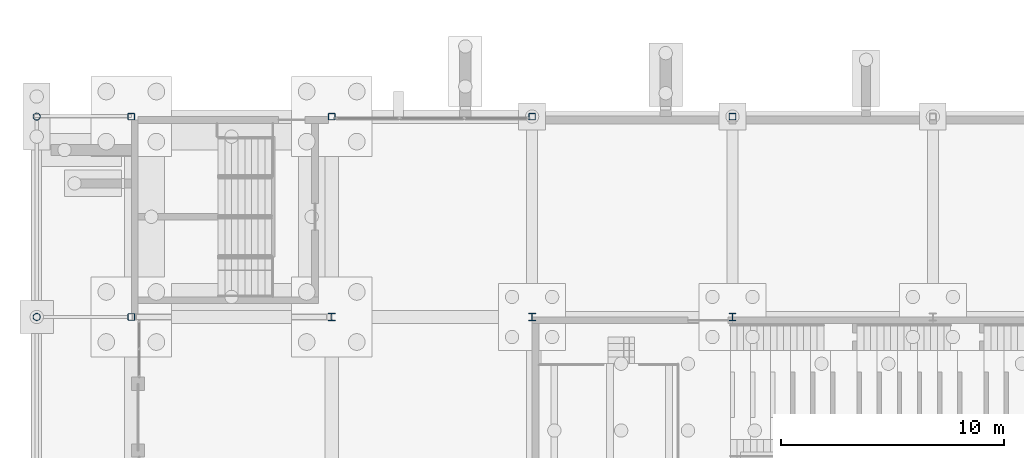
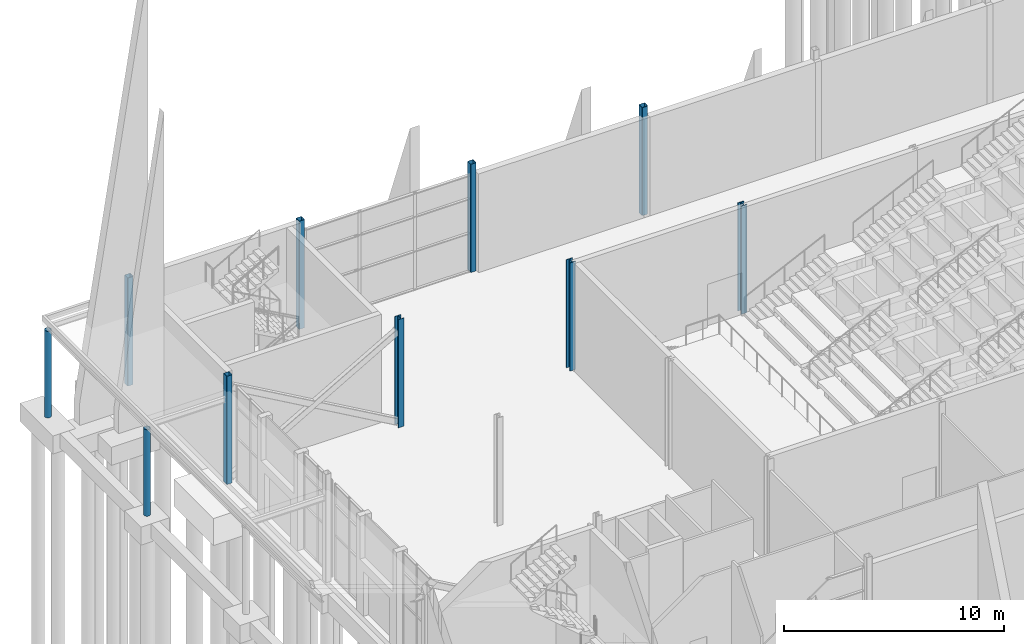
# One storey, part 24 of 139: 10 columns.
"""IFC4 building model written with IfcOpenShell, lengths in metres."""

from ifc_helpers import new_model, si_unit, direction, frame, origin, origin_2d, place, context, subcontext, project, spatial, hollow_rectangle, hollow_circle, i_section, extrude, material, material_profile, profile_set, type_object, element, save


model = new_model("IFC4")

# Units and contexts
model_context = context("Model", 3, precision=1e-05, world=origin(), true_north=direction((0.0, 1.0)))
body_context = subcontext(model_context, "Body", "Model", "MODEL_VIEW")
ifc_project = project(units=[si_unit("LENGTHUNIT", "METRE"), si_unit("AREAUNIT", "SQUARE_METRE"), si_unit("VOLUMEUNIT", "CUBIC_METRE"), si_unit("PLANEANGLEUNIT", "RADIAN"), si_unit("MASSUNIT", "GRAM", prefix="KILO")], contexts=[model_context])

# Site, building, storey
site_placement = place(None, origin())
site = spatial("IfcSite", under=ifc_project, at=site_placement, CompositionType="ELEMENT")
building_placement = place(site_placement, origin())
building = spatial("IfcBuilding", under=site, at=building_placement, Name="Shorebreak Coast Museum", CompositionType="ELEMENT")
storey_placement = place(building_placement, origin())
storey = spatial("IfcBuildingStorey", under=building, at=storey_placement, Name="L00", CompositionType="ELEMENT", Elevation=0.0)

# Columns
ifc_material_1 = material(Name="Steel Grade C350L0", Category="steel")
ifc_material_profile_1 = material_profile(ifc_material_1, hollow_circle(Radius=0.161865234375, WallThickness=0.009521484375, at=origin_2d()), Name="323.9x9.5 CHS")
ifc_profile_set_1 = profile_set([ifc_material_profile_1], Name="Steel Grade C350L0")
column_type_1 = type_object("IfcColumnType", Name="Arcade column 323.9x9.5 CHS", PredefinedType="COLUMN", material=ifc_profile_set_1)
for number, where, z_axis, x_axis, name in (
    (1, (-4.25, 81.0, -0.300048828125), (0.0, 0.0, 1.0), (1.0, 0.0, 0.0), "Arcade column west 4"),
    (2, (-4.25, 90.0, -0.300048828125), (0.0, 0.0, 1.0), (1.0, 0.0, 0.0), "Arcade column west 5"),
):
    element("IfcColumn", number, at=place(storey_placement, frame(where, z_axis=z_axis, x_axis=x_axis)), inside=storey, type_object=column_type_1, Name=name, PredefinedType="COLUMN", context=body_context, shape_type="SweptSolid", body=[
        extrude(hollow_circle(Radius=0.161865234375, WallThickness=0.009521484375, at=origin_2d()), origin(), (0.0, 0.0, 1.0), 4.802001953125),
    ])
ifc_material_2 = material(Name="Steel Grade C450L0", Category="steel")
ifc_material_profile_2 = material_profile(ifc_material_2, hollow_rectangle(XDim=0.300048828125, YDim=0.300048828125, WallThickness=0.012451171875, InnerFilletRadius=0.018798828125, OuterFilletRadius=0.03125, at=origin_2d()), Name="300x300x12.5 SHS")
ifc_profile_set_2 = profile_set([ifc_material_profile_2], Name="Steel Grade C450L0")
column_type_2 = type_object("IfcColumnType", Name="Column 300x300x12.5 SHS", PredefinedType="COLUMN", material=ifc_profile_set_2)
for number, where, z_axis, x_axis, name in (
    (3, (0.0, 81.0, 0.0), (0.0, 0.0, 1.0), (1.0, 0.0, 0.0), "Column L00 1K"),
    (4, (0.0, 90.0, 0.0), (0.0, 0.0, 1.0), (1.0, 0.0, 0.0), "Column L00 1L"),
    (5, (9.0, 90.0, 0.0), (0.0, 0.0, 1.0), (1.0, 0.0, 0.0), "Column L00 2L"),
    (6, (18.0, 90.0, 0.0), (0.0, 0.0, 1.0), (1.0, 0.0, 0.0), "Column L00 3L"),
    (7, (27.0, 90.0, 0.0), (0.0, 0.0, 1.0), (1.0, 0.0, 0.0), "Column L00 4L"),
):
    element("IfcColumn", number, at=place(storey_placement, frame(where, z_axis=z_axis, x_axis=x_axis)), inside=storey, type_object=column_type_2, Name=name, PredefinedType="COLUMN", context=body_context, shape_type="SweptSolid", body=[
        extrude(hollow_rectangle(XDim=0.300048828125, YDim=0.300048828125, WallThickness=0.012451171875, InnerFilletRadius=0.018798828125, OuterFilletRadius=0.03125, at=origin_2d()), origin(), (0.0, 0.0, 1.0), 6.0),
    ])
ifc_material_3 = material(Name="Steel Grade 300", Category="steel")
ifc_material_profile_3 = material_profile(ifc_material_3, i_section(OverallWidth=0.30908203125, OverallDepth=0.320556640625, WebThickness=0.013916015625, FlangeThickness=0.021728515625, FilletRadius=0.0166015625, at=origin_2d()), Name="310UC137")
ifc_profile_set_3 = profile_set([ifc_material_profile_3], Name="Steel Grade 300")
column_type_3 = type_object("IfcColumnType", Name="Column 310UC137", PredefinedType="COLUMN", material=ifc_profile_set_3)
column_placement = place(storey_placement, frame((9.0, 81.0, 0.0), z_axis=(0.0, 0.0, 1.0), x_axis=(1.0, 0.0, 0.0)))
element("IfcColumn", 8, at=column_placement, inside=storey, type_object=column_type_3, Name="Column L00 2K", PredefinedType="COLUMN", context=body_context, shape_type="SweptSolid", body=[
    extrude(i_section(OverallWidth=0.30908203125, OverallDepth=0.320556640625, WebThickness=0.013916015625, FlangeThickness=0.021728515625, FilletRadius=0.0166015625, at=origin_2d()), origin(), (0.0, 0.0, 1.0), 6.0),
])
ifc_material_4 = material(Name="Steel Grade 300", Category="steel")
ifc_material_profile_4 = material_profile(ifc_material_4, i_section(OverallWidth=0.31103515625, OverallDepth=0.3271484375, WebThickness=0.015625, FlangeThickness=0.02490234375, FilletRadius=0.0166015625, at=origin_2d()), Name="310UC158")
ifc_profile_set_4 = profile_set([ifc_material_profile_4], Name="Steel Grade 300")
column_type_4 = type_object("IfcColumnType", Name="Column 310UC158", PredefinedType="COLUMN", material=ifc_profile_set_4)
for number, where, z_axis, x_axis, name in (
    (9, (18.0, 81.0, 0.0), (0.0, 0.0, 1.0), (1.0, 0.0, 0.0), "Column L00 3K"),
    (10, (27.0, 81.0, 0.0), (0.0, 0.0, 1.0), (1.0, 0.0, 0.0), "Column L00 4K"),
):
    element("IfcColumn", number, at=place(storey_placement, frame(where, z_axis=z_axis, x_axis=x_axis)), inside=storey, type_object=column_type_4, Name=name, PredefinedType="COLUMN", context=body_context, shape_type="SweptSolid", body=[
        extrude(i_section(OverallWidth=0.31103515625, OverallDepth=0.3271484375, WebThickness=0.015625, FlangeThickness=0.02490234375, FilletRadius=0.0166015625, at=origin_2d()), origin(), (0.0, 0.0, 1.0), 6.0),
    ])

save(model, "model.ifc")
